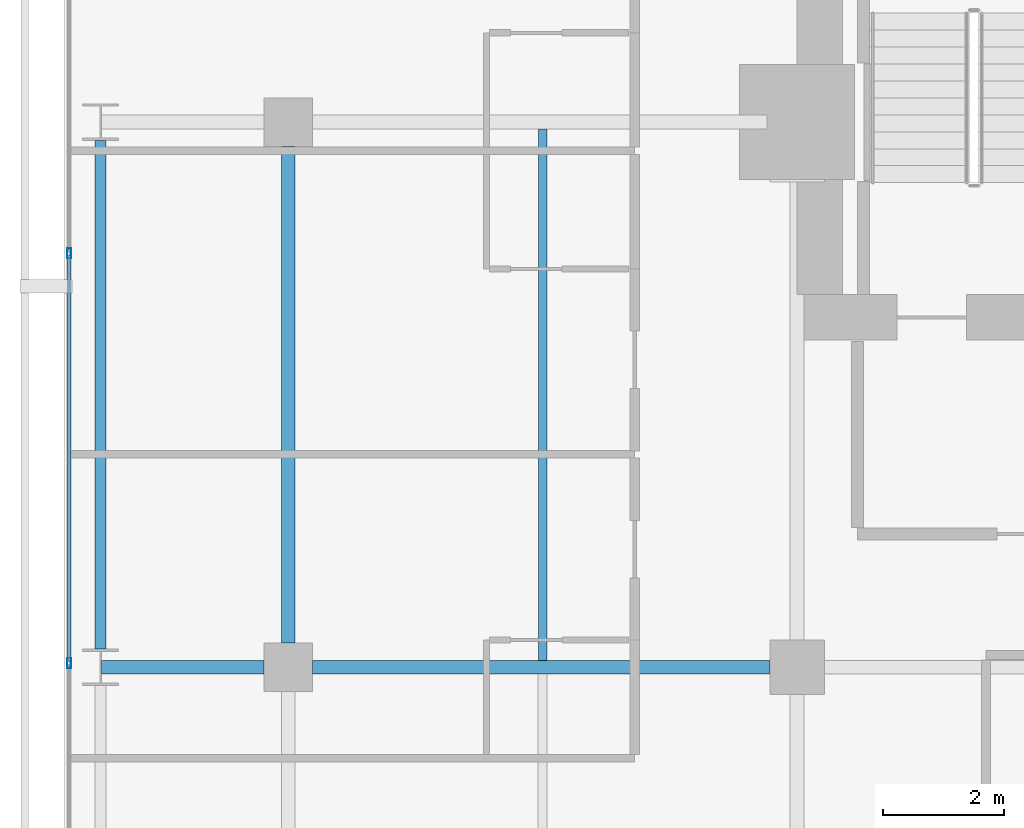
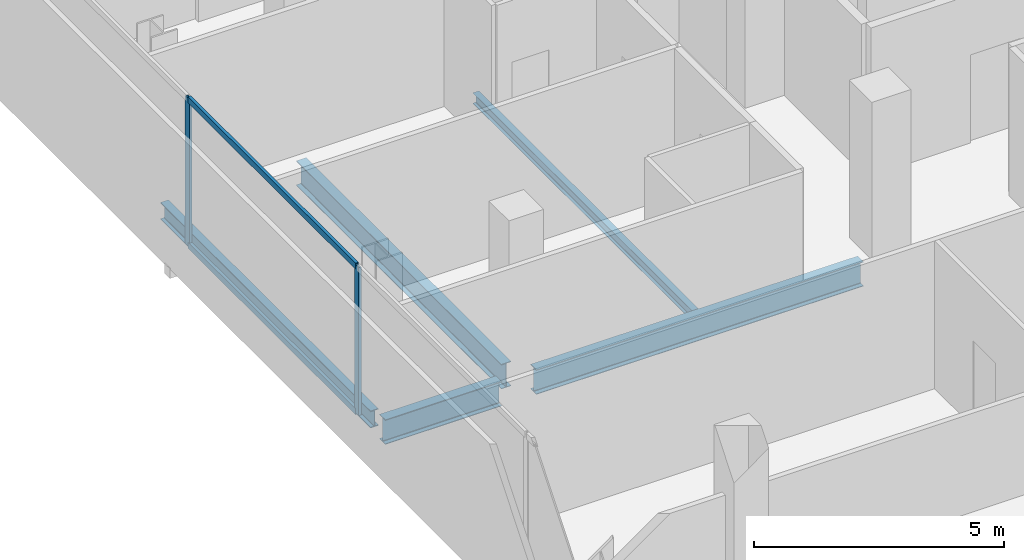
# One storey, part 18 of 34: 5 beams, 4 members, 1 element without a shape of its own.
"""IFC4 building model written with IfcOpenShell, lengths in metres."""

from ifc_helpers import new_model, si_unit, direction, frame, origin, origin_2d, place, context, subcontext, project, spatial, hollow_rectangle, i_section, extrude, material, layer, layer_set, material_profile, profile_set, type_object, element, aggregate, save


model = new_model("IFC4")

# Units and contexts
model_context = context("Model", 3, precision=1e-05, world=origin(), true_north=direction((0.0, 1.0)))
body_context = subcontext(model_context, "Body", "Model", "MODEL_VIEW")
ifc_project = project(units=[si_unit("LENGTHUNIT", "METRE"), si_unit("AREAUNIT", "SQUARE_METRE"), si_unit("VOLUMEUNIT", "CUBIC_METRE"), si_unit("PLANEANGLEUNIT", "RADIAN"), si_unit("MASSUNIT", "GRAM", prefix="KILO")], contexts=[model_context])

# Site, building, storey
site_placement = place(None, origin())
site = spatial("IfcSite", under=ifc_project, at=site_placement, CompositionType="ELEMENT")
building_placement = place(site_placement, origin())
building = spatial("IfcBuilding", under=site, at=building_placement, Name="Maruvema Waterfront Hotel and Observation Tower", CompositionType="ELEMENT")
storey_placement = place(building_placement, frame((0.0, 0.0, 177.449951171875)))
storey = spatial("IfcBuildingStorey", under=building, at=storey_placement, Name="L43", CompositionType="ELEMENT", Elevation=177.449951171875)

# Curtain wall, members
ifc_material_1 = material(Name="Anodised bronze aluminium and solar-control low-E IGU", Category="aluminium")
ifc_layer = layer(ifc_material_1, 0.159912109375, Name="Zone 2 Amber Inner Thermal Curtain Wall System CW-03")
ifc_layer_set = layer_set([ifc_layer], Name="Anodised bronze aluminium and solar-control low-E IGU")
curtain_wall_type = type_object("IfcCurtainWallType", Name="Zone 2 Amber Inner Thermal Curtain Wall System CW-03", PredefinedType="USERDEFINED", material=ifc_layer_set)
curtain_wall_placement = place(storey_placement, origin())
curtain_wall = element("IfcCurtainWall", 1, at=curtain_wall_placement, inside=storey, type_object=curtain_wall_type, Name="L43 Curtain Wall CW-L43-W", ObjectType="UNITISED CURTAIN WALL", PredefinedType="USERDEFINED")
ifc_material_2 = material(Name="Anodised architectural bronze aluminium", Category="aluminium")
ifc_material_profile_1 = material_profile(ifc_material_2, hollow_rectangle(XDim=0.070068359375, YDim=0.14990234375, WallThickness=0.00390625, at=origin_2d()), Name="ALU-T70x150")
ifc_profile_set_1 = profile_set([ifc_material_profile_1], Name="Anodised architectural bronze aluminium")
member_type_1 = type_object("IfcMemberType", Name="Curtain Wall Horizontal Transom ALU-T70x150", PredefinedType="USERDEFINED", material=ifc_profile_set_1)
member_1_placement = place(storey_placement, frame((13.179931640625, 42.80322265625, 0.030029296875), z_axis=(0.0, -1.0, 0.0), x_axis=(1.0, 0.0, 0.0)))
member_1 = element("IfcMember", 2, at=member_1_placement, type_object=member_type_1, Name="CW-03 transom 2.1", ObjectType="TRANSOM", PredefinedType="USERDEFINED", context=body_context, shape_type="SweptSolid", body=[
    extrude(hollow_rectangle(XDim=0.070068359375, YDim=0.14990234375, WallThickness=0.00390625, at=origin_2d()), origin(), (0.0, 0.0, 1.0), 6.70654296875),
])
member_2_placement = place(storey_placement, frame((13.179931640625, 42.80322265625, 3.580078125), z_axis=(0.0, -1.0, 0.0), x_axis=(1.0, 0.0, 0.0)))
member_2 = element("IfcMember", 3, at=member_2_placement, type_object=member_type_1, Name="CW-03 transom 2.2", ObjectType="TRANSOM", PredefinedType="USERDEFINED", context=body_context, shape_type="SweptSolid", body=[
    extrude(hollow_rectangle(XDim=0.070068359375, YDim=0.14990234375, WallThickness=0.00390625, at=origin_2d()), origin(), (0.0, 0.0, 1.0), 6.70654296875),
])
ifc_material_3 = material(Name="Anodised architectural bronze aluminium", Category="aluminium")
ifc_material_profile_2 = material_profile(ifc_material_3, hollow_rectangle(XDim=0.06494140625, YDim=0.1650390625, WallThickness=0.00390625, at=origin_2d()), Name="ALU-M65x165")
ifc_profile_set_2 = profile_set([ifc_material_profile_2], Name="Anodised architectural bronze aluminium")
member_type_2 = type_object("IfcMemberType", Name="Curtain Wall Primary Mullion ALU-M65x165", PredefinedType="MULLION", material=ifc_profile_set_2)
member_3_placement = place(storey_placement, frame((13.179931640625, 42.833251953125, 0.0), z_axis=(0.0, 0.0, 1.0), x_axis=(1.0, 0.0, 0.0)))
member_3 = element("IfcMember", 4, at=member_3_placement, type_object=member_type_2, Name="CW-03 mullion 2", PredefinedType="MULLION", context=body_context, shape_type="SweptSolid", body=[
    extrude(hollow_rectangle(XDim=0.06494140625, YDim=0.1650390625, WallThickness=0.00390625, at=origin_2d()), origin(), (0.0, 0.0, 1.0), 3.610107421875),
])
member_4_placement = place(storey_placement, frame((13.179931640625, 36.066650390625, 0.0), z_axis=(0.0, 0.0, 1.0), x_axis=(1.0, 0.0, 0.0)))
member_4 = element("IfcMember", 5, at=member_4_placement, type_object=member_type_2, Name="CW-03 mullion 3", PredefinedType="MULLION", context=body_context, shape_type="SweptSolid", body=[
    extrude(hollow_rectangle(XDim=0.06494140625, YDim=0.1650390625, WallThickness=0.00390625, at=origin_2d()), origin(), (0.0, 0.0, 1.0), 3.610107421875),
])
aggregate(curtain_wall, [member_3, member_4, member_1, member_2])

# Beams
ifc_material_4 = material(Name="Steel ASTM A572 Grade 50", Category="steel")
ifc_material_profile_3 = material_profile(ifc_material_4, i_section(OverallWidth=0.180908203125, OverallDepth=0.4169921875, WebThickness=0.010986328125, FlangeThickness=0.018310546875, FilletRadius=0.014892578125, at=origin_2d()), Name="W410x85.0")
ifc_profile_set_3 = profile_set([ifc_material_profile_3], Name="Steel ASTM A572 Grade 50")
beam_type_1 = type_object("IfcBeamType", Name="Perimeter Spandrel Beam W410x85.0", PredefinedType="SPANDREL", material=ifc_profile_set_3)
beam_1_placement = place(storey_placement, frame((13.699951171875, 36.300048828125, -0.448486328125), z_axis=(0.0, 1.0, 0.0), x_axis=(-1.0, 0.0, 0.0)))
element("IfcBeam", 6, at=beam_1_placement, inside=storey, type_object=beam_type_1, Name="L43 Floor Girder NS-04", PredefinedType="SPANDREL", context=body_context, shape_type="SweptSolid", body=[
    extrude(i_section(OverallWidth=0.180908203125, OverallDepth=0.4169921875, WebThickness=0.010986328125, FlangeThickness=0.018310546875, FilletRadius=0.014892578125, at=origin_2d()), origin(), (0.0, 0.0, 1.0), 8.39990234375),
])
ifc_material_5 = material(Name="Steel ASTM A572 Grade 50", Category="steel")
ifc_material_profile_4 = material_profile(ifc_material_5, i_section(OverallWidth=0.22802734375, OverallDepth=0.60302734375, WebThickness=0.010498046875, FlangeThickness=0.014892578125, FilletRadius=0.01806640625, at=origin_2d()), Name="W610x101.0")
ifc_profile_set_4 = profile_set([ifc_material_profile_4], Name="Steel ASTM A572 Grade 50")
beam_type_2 = type_object("IfcBeamType", Name="Primary Floor Girder W610x101.0", PredefinedType="BEAM", material=ifc_profile_set_4)
beam_2_placement = place(storey_placement, frame((13.71240234375, 36.0, -0.54150390625), z_axis=(1.0, 0.0, 0.0), x_axis=(0.0, 1.0, 0.0)))
element("IfcBeam", 7, at=beam_2_placement, inside=storey, type_object=beam_type_2, Name="L43 Floor Girder EW-23", PredefinedType="BEAM", context=body_context, shape_type="SweptSolid", body=[
    extrude(i_section(OverallWidth=0.22802734375, OverallDepth=0.60302734375, WebThickness=0.010498046875, FlangeThickness=0.014892578125, FilletRadius=0.01806640625, at=origin_2d()), origin(), (0.0, 0.0, 1.0), 2.6875),
])
beam_3_placement = place(storey_placement, frame((17.199951171875, 36.0, -0.54150390625), z_axis=(1.0, 0.0, 0.0), x_axis=(0.0, 1.0, 0.0)))
element("IfcBeam", 8, at=beam_3_placement, inside=storey, type_object=beam_type_2, Name="L43 Floor Girder EW-24", PredefinedType="BEAM", context=body_context, shape_type="SweptSolid", body=[
    extrude(i_section(OverallWidth=0.22802734375, OverallDepth=0.60302734375, WebThickness=0.010498046875, FlangeThickness=0.014892578125, FilletRadius=0.01806640625, at=origin_2d()), origin(), (0.0, 0.0, 1.0), 7.550048828125),
])
beam_4_placement = place(storey_placement, frame((16.800048828125, 36.39990234375, -0.54150390625), z_axis=(0.0, 1.0, 0.0), x_axis=(-1.0, 0.0, 0.0)))
element("IfcBeam", 9, at=beam_4_placement, inside=storey, type_object=beam_type_2, Name="L43 Floor Girder NS-08", PredefinedType="BEAM", context=body_context, shape_type="SweptSolid", body=[
    extrude(i_section(OverallWidth=0.22802734375, OverallDepth=0.60302734375, WebThickness=0.010498046875, FlangeThickness=0.014892578125, FilletRadius=0.01806640625, at=origin_2d()), origin(), (0.0, 0.0, 1.0), 8.2001953125),
])
ifc_material_6 = material(Name="Steel ASTM A572 Grade 50", Category="steel")
ifc_material_profile_5 = material_profile(ifc_material_6, i_section(OverallWidth=0.14599609375, OverallDepth=0.258056640625, WebThickness=0.006103515625, FlangeThickness=0.009033203125, FilletRadius=0.012939453125, at=origin_2d()), Name="W250x32.7")
ifc_profile_set_5 = profile_set([ifc_material_profile_5], Name="Steel ASTM A572 Grade 50")
beam_type_3 = type_object("IfcBeamType", Name="Secondary Floor Joist W250x32.7", PredefinedType="JOIST", material=ifc_profile_set_5)
beam_5_placement = place(storey_placement, frame((21.0, 36.114013671875, -0.368896484375), z_axis=(0.0, 1.0, 0.0), x_axis=(-1.0, 0.0, 0.0)))
element("IfcBeam", 10, at=beam_5_placement, inside=storey, type_object=beam_type_3, Name="L43 Secondary Floor Joist JS-04", PredefinedType="JOIST", context=body_context, shape_type="SweptSolid", body=[
    extrude(i_section(OverallWidth=0.14599609375, OverallDepth=0.258056640625, WebThickness=0.006103515625, FlangeThickness=0.009033203125, FilletRadius=0.012939453125, at=origin_2d()), origin(), (0.0, 0.0, 1.0), 8.77197265625),
])

save(model, "model.ifc")
